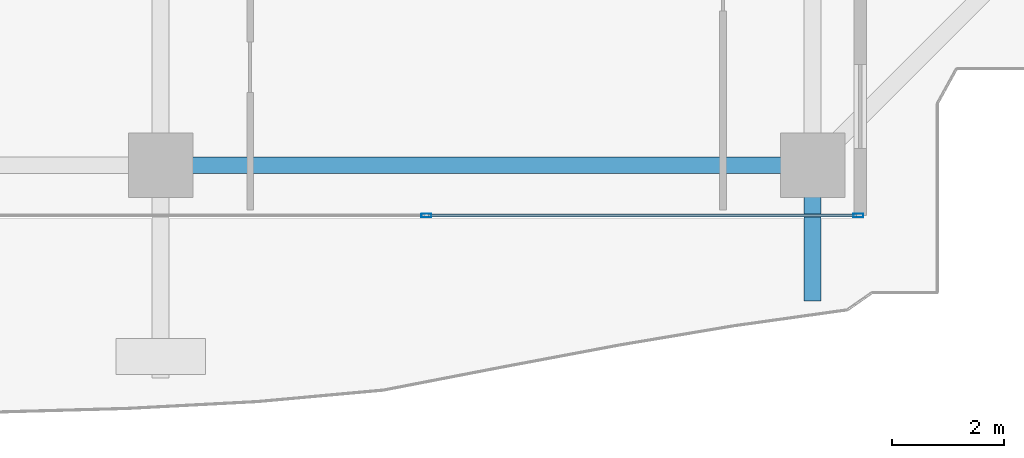
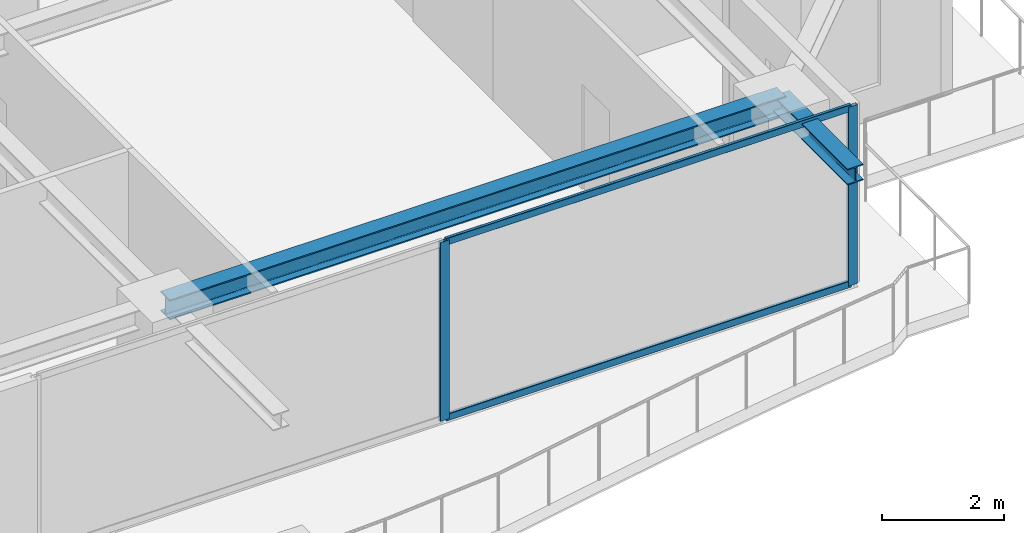
# One storey, part 11 of 35: 4 members, 2 beams, 1 element without a shape of its own.
"""IFC4 building model written with IfcOpenShell, lengths in metres."""

from ifc_helpers import new_model, si_unit, direction, frame, origin, origin_2d, place, context, subcontext, project, spatial, hollow_rectangle, i_section, extrude, source, transform, mapped, material, layer, layer_set, material_profile, profile_set, type_object, element, aggregate, save


model = new_model("IFC4")

# Units and contexts
model_context = context("Model", 3, precision=1e-05, world=origin(), true_north=direction((0.0, 1.0)))
body_context = subcontext(model_context, "Body", "Model", "MODEL_VIEW")
ifc_project = project(units=[si_unit("LENGTHUNIT", "METRE"), si_unit("AREAUNIT", "SQUARE_METRE"), si_unit("VOLUMEUNIT", "CUBIC_METRE"), si_unit("PLANEANGLEUNIT", "RADIAN"), si_unit("MASSUNIT", "GRAM", prefix="KILO")], contexts=[model_context])

# Site, building, storey
site_placement = place(None, origin())
site = spatial("IfcSite", under=ifc_project, at=site_placement, CompositionType="ELEMENT")
building_placement = place(site_placement, origin())
building = spatial("IfcBuilding", under=site, at=building_placement, Name="Serunith Strait Residences", CompositionType="ELEMENT")
storey_placement = place(building_placement, frame((0.0, 0.0, 214.300048828125)))
storey = spatial("IfcBuildingStorey", under=building, at=storey_placement, Name="L53", CompositionType="ELEMENT", Elevation=214.300048828125)

# Beams
ifc_material_1 = material(Name="Steel S355J2", Category="steel")
ifc_material_profile_1 = material_profile(ifc_material_1, i_section(OverallWidth=0.300048828125, OverallDepth=0.39990234375, WebThickness=0.013427734375, FlangeThickness=0.02392578125, FilletRadius=0.027099609375, at=origin_2d()), Name="HEB 400")
ifc_profile_set_1 = profile_set([ifc_material_profile_1], Name="Steel S355J2")
beam_type_1 = type_object("IfcBeamType", Name="BM-HEB400", PredefinedType="BEAM", material=ifc_profile_set_1)
shared_shape_1 = source(origin(), body_context, "Body", "SweptSolid", [
    extrude(i_section(OverallWidth=0.300048828125, OverallDepth=0.39990234375, WebThickness=0.013427734375, FlangeThickness=0.02392578125, FilletRadius=0.027099609375, at=origin_2d()), origin(), (0.0, 0.0, 1.0), 11.650146484375),
])
beam_1_placement = place(storey_placement, frame((36.89990234375, 2.10009765625, 3.386962890625), z_axis=(1.0, 0.0, 0.0), x_axis=(0.0, 1.0, 0.0)))
element("IfcBeam", 1, at=beam_1_placement, inside=storey, type_object=beam_type_1, Name="L53 Perimeter Ring Beam 03", PredefinedType="BEAM", context=body_context, shape_type="MappedRepresentation", body=[
    mapped(shared_shape_1, transform((0.0, 0.0, 0.0), scale=1.0)),
])
ifc_material_profile_2 = material_profile(ifc_material_1, i_section(OverallWidth=0.300048828125, OverallDepth=0.320068359375, WebThickness=0.011474609375, FlangeThickness=0.0205078125, FilletRadius=0.027099609375, at=origin_2d()), Name="HEB 320")
ifc_profile_set_2 = profile_set([ifc_material_profile_2], Name="Steel S355J2")
beam_type_2 = type_object("IfcBeamType", Name="BM-HEB320", PredefinedType="BEAM", material=ifc_profile_set_2)
shared_shape_2 = source(origin(), body_context, "Body", "SweptSolid", [
    extrude(i_section(OverallWidth=0.300048828125, OverallDepth=0.320068359375, WebThickness=0.011474609375, FlangeThickness=0.0205078125, FilletRadius=0.027099609375, at=origin_2d()), origin(), (0.0, 0.0, 1.0), 2.425537109375),
])
beam_2_placement = place(storey_placement, frame((48.550048828125, 2.10009765625, 3.39697265625), z_axis=(0.0, -1.0, 0.0), x_axis=(1.0, 0.0, 0.0)))
element("IfcBeam", 2, at=beam_2_placement, inside=storey, type_object=beam_type_2, Name="L54 Cantilevered Balcony Rib TC-S4", PredefinedType="BEAM", context=body_context, shape_type="MappedRepresentation", body=[
    mapped(shared_shape_2, transform((0.0, 0.0, 0.0), scale=1.0)),
])

# Curtain wall, members
ifc_material_2 = material(Name="Pale-Champagne Anodised Aluminium", Category="aluminium")
ifc_layer = layer(ifc_material_2, 0.199951171875, Name="Pale-Champagne Anodised Aluminium")
ifc_layer_set = layer_set([ifc_layer], Name="Pale-Champagne Anodised Aluminium")
curtain_wall_type = type_object("IfcCurtainWallType", Name="CW-SYS4", PredefinedType="NOTDEFINED", material=ifc_layer_set)
curtain_wall_placement = place(storey_placement, origin())
curtain_wall = element("IfcCurtainWall", 3, at=curtain_wall_placement, inside=storey, type_object=curtain_wall_type, Name="L53 S Unitised Fritted Curtain Wall", PredefinedType="NOTDEFINED")
ifc_material_profile_3 = material_profile(ifc_material_2, hollow_rectangle(XDim=0.06494140625, YDim=0.179931640625, WallThickness=0.00341796875, InnerFilletRadius=0.00537109375, OuterFilletRadius=0.0087890625, at=origin_2d()), Name="ALU 180x65x3.5")
ifc_profile_set_3 = profile_set([ifc_material_profile_3], Name="Pale-Champagne Anodised Aluminium")
member_type_1 = type_object("IfcMemberType", Name="CW-SYS4-MULL", PredefinedType="MULLION", material=ifc_profile_set_3)
shared_shape_3 = source(origin(), body_context, "Body", "SweptSolid", [
    extrude(hollow_rectangle(XDim=0.06494140625, YDim=0.179931640625, WallThickness=0.00341796875, InnerFilletRadius=0.00537109375, OuterFilletRadius=0.0087890625, at=origin_2d()), origin(), (0.0, 0.0, 1.0), 3.574951171875),
])
member_1_placement = place(storey_placement, frame((41.64990234375, 1.199951171875, 0.0), z_axis=(0.0, 0.0, 1.0), x_axis=(0.0, 1.0, 0.0)))
member_1 = element("IfcMember", 4, at=member_1_placement, type_object=member_type_1, Name="CW-4 mullion 2", PredefinedType="MULLION", context=body_context, shape_type="MappedRepresentation", body=[
    mapped(shared_shape_3, transform((0.0, 0.0, 0.0), scale=1.0)),
])
member_2_placement = place(storey_placement, frame((49.367431640625, 1.199951171875, 0.0), z_axis=(0.0, 0.0, 1.0), x_axis=(0.0, 1.0, 0.0)))
member_2 = element("IfcMember", 5, at=member_2_placement, type_object=member_type_1, Name="CW-4 mullion 3", PredefinedType="MULLION", context=body_context, shape_type="MappedRepresentation", body=[
    mapped(shared_shape_3, transform((0.0, 0.0, 0.0), scale=1.0)),
])
ifc_material_profile_4 = material_profile(ifc_material_2, hollow_rectangle(XDim=0.06005859375, YDim=0.139892578125, WallThickness=0.00341796875, InnerFilletRadius=0.00537109375, OuterFilletRadius=0.0087890625, at=origin_2d()), Name="ALU 140x60x3.5")
ifc_profile_set_4 = profile_set([ifc_material_profile_4], Name="Pale-Champagne Anodised Aluminium")
member_type_2 = type_object("IfcMemberType", Name="CW-SYS4-TRAN", PredefinedType="USERDEFINED", material=ifc_profile_set_4)
shared_shape_4 = source(origin(), body_context, "Body", "SweptSolid", [
    extrude(hollow_rectangle(XDim=0.06005859375, YDim=0.139892578125, WallThickness=0.00341796875, InnerFilletRadius=0.00537109375, OuterFilletRadius=0.0087890625, at=origin_2d()), origin(), (0.0, 0.0, 1.0), 7.65234375),
])
member_3_placement = place(storey_placement, frame((41.6826171875, 1.199951171875, 0.030029296875), z_axis=(1.0, 0.0, 0.0), x_axis=(0.0, 1.0, 0.0)))
member_3 = element("IfcMember", 6, at=member_3_placement, type_object=member_type_2, Name="CW-4 transom 2.1", ObjectType="TRANSOM", PredefinedType="USERDEFINED", context=body_context, shape_type="MappedRepresentation", body=[
    mapped(shared_shape_4, transform((0.0, 0.0, 0.0), scale=1.0)),
])
member_4_placement = place(storey_placement, frame((41.6826171875, 1.199951171875, 3.544921875), z_axis=(1.0, 0.0, 0.0), x_axis=(0.0, 1.0, 0.0)))
member_4 = element("IfcMember", 7, at=member_4_placement, type_object=member_type_2, Name="CW-4 transom 2.2", ObjectType="TRANSOM", PredefinedType="USERDEFINED", context=body_context, shape_type="MappedRepresentation", body=[
    mapped(shared_shape_4, transform((0.0, 0.0, 0.0), scale=1.0)),
])
aggregate(curtain_wall, [member_1, member_2, member_3, member_4])

save(model, "model.ifc")
